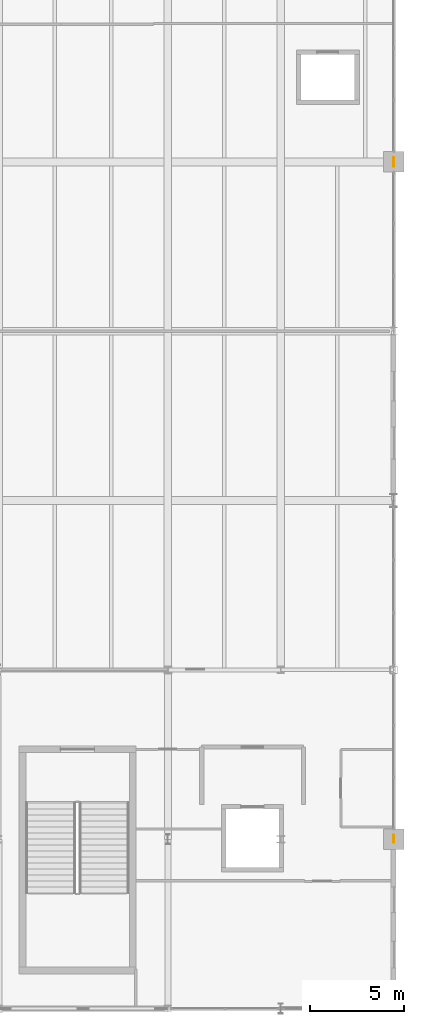
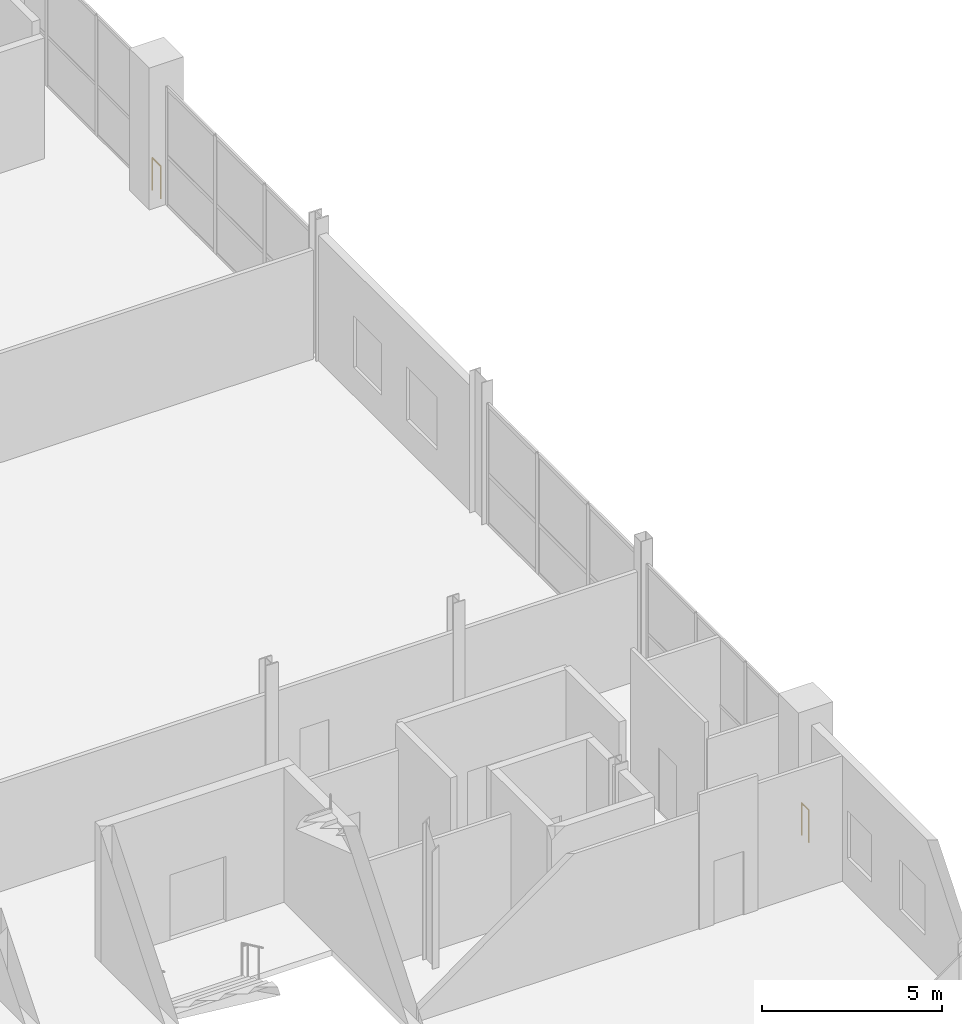
# One storey, part 46 of 50: 2 railings.
"""IFC4 building model written with IfcOpenShell, lengths in metres."""

import ifcopenshell
import ifcopenshell.guid

model = None  # the IFC model being written
_history = None  # IfcOwnerHistory: only IFC2X3 demands one
_inside = {}  # id of a spatial element -> (the spatial element, [elements in it])
_under = {}  # id of a project, library or spatial element -> (it, [spatial elements below it])
_declared = {}  # id of a project -> (the project, [libraries it declares])
_typed = {}  # id of a type object -> (the type object, [elements of that type])
_made_of = {}  # id of a material, layer set ... -> (it, [elements and type objects made of it])


def new_model(schema):
    """Start an empty IFC model of exactly this schema.

    Asked for "IFC4X3", IfcOpenShell would pick the latest addendum, in which some entities
    have other attributes; the version numbers below select the first issue.
    IFC2X3 requires an IfcOwnerHistory on every rooted entity: one is made here for all.
    """
    global model, _history
    if schema == "IFC4X3":
        model = ifcopenshell.file(schema_version=(4, 3, 0, 0))
    else:
        model = ifcopenshell.file(schema=schema)
    _inside.clear()
    _under.clear()
    _declared.clear()
    _typed.clear()
    _made_of.clear()
    _history = None
    if model.schema == "IFC2X3":
        org = make("IfcOrganization", Name="unknown")
        user = make(
            "IfcPersonAndOrganization",
            ThePerson=make("IfcPerson", FamilyName="unknown"),
            TheOrganization=org,
        )
        app = make(
            "IfcApplication",
            ApplicationDeveloper=org,
            Version="unknown",
            ApplicationFullName="unknown",
            ApplicationIdentifier="unknown",
        )
        _history = make(
            "IfcOwnerHistory",
            OwningUser=user,
            OwningApplication=app,
            ChangeAction="ADDED",
            CreationDate=0,
        )
    return model


def make(cls, **values):
    """One entity of the class cls with the attributes given. An attribute that is None is left unset."""
    return model.create_entity(
        cls, **{name: value for name, value in values.items() if value is not None}
    )


def rooted(cls, **values):
    """An entity with a GlobalId (a new one), such as an element, a storey or a relation."""
    return make(cls, GlobalId=ifcopenshell.guid.new(), OwnerHistory=_history, **values)


def si_unit(unit_type, name, prefix=None):
    """IfcSIUnit, for example si_unit("LENGTHUNIT", "METRE", prefix="MILLI")."""
    return make("IfcSIUnit", UnitType=unit_type, Prefix=prefix, Name=name)


def assignment(units):
    """IfcUnitAssignment: the units of a project."""
    return None if units is None else make("IfcUnitAssignment", Units=units)


def point(xyz):
    """IfcCartesianPoint."""
    return None if xyz is None else make("IfcCartesianPoint", Coordinates=xyz)


def direction(xyz):
    """IfcDirection."""
    return None if xyz is None else make("IfcDirection", DirectionRatios=xyz)


def frame(location, z_axis=None, x_axis=None):
    """IfcAxis2Placement3D, a coordinate frame: its origin and axes. An axis left out is left unset."""
    return make(
        "IfcAxis2Placement3D",
        Location=point(location),
        Axis=direction(z_axis),
        RefDirection=direction(x_axis),
    )


def frame_2d(location, x_axis=None):
    """IfcAxis2Placement2D, a coordinate frame in the plane: its origin and x axis."""
    return make(
        "IfcAxis2Placement2D", Location=point(location), RefDirection=direction(x_axis)
    )


def origin():
    """The frame at (0, 0, 0) with its axes left unset."""
    return frame((0.0, 0.0, 0.0))


def origin_2d():
    """The frame at (0, 0) in the plane with its x axis left unset."""
    return frame_2d((0.0, 0.0))


def place(relative_to, where):
    """IfcLocalPlacement: puts the frame where relative to a parent placement (None: the world)."""
    return make(
        "IfcLocalPlacement", PlacementRelTo=relative_to, RelativePlacement=where
    )


def context(
    kind, dimensions, precision=None, world=None, true_north=None, identifier=None
):
    """IfcGeometricRepresentationContext, for example the 3D "Model" context."""
    return make(
        "IfcGeometricRepresentationContext",
        ContextIdentifier=identifier,
        ContextType=kind,
        CoordinateSpaceDimension=dimensions,
        Precision=precision,
        WorldCoordinateSystem=world,
        TrueNorth=true_north,
    )


def subcontext(parent, identifier, kind, view, scale=None):
    """IfcGeometricRepresentationSubContext, for example "Body" below "Model"."""
    return make(
        "IfcGeometricRepresentationSubContext",
        ContextIdentifier=identifier,
        ContextType=kind,
        ParentContext=parent,
        TargetScale=scale,
        TargetView=view,
    )


def project(units=None, contexts=None):
    """IfcProject with its units and contexts."""
    return rooted(
        "IfcProject",
        Name="project",
        RepresentationContexts=contexts,
        UnitsInContext=assignment(units),
    )


def spatial(cls, under=None, at=None, **own):
    """A site, building, storey or space (cls), placed at a placement, below another one or the project."""
    s = rooted(cls, ObjectPlacement=at, **own)
    if under is not None:
        _under.setdefault(under.id(), (under, []))[1].append(s)
    return s


def profile(cls, at=None, kind="AREA", **sizes):
    """A parametric profile (cls). Its sizes go by their IFC names, for example OverallWidth=200.0."""
    return make(cls, ProfileType=kind, Position=at, **sizes)


def circle(**sizes):
    """IfcCircleProfileDef."""
    return profile("IfcCircleProfileDef", **sizes)


def extrude(swept, where, along, depth):
    """IfcExtrudedAreaSolid: the profile swept, set in the frame where, extruded along a direction by depth."""
    return make(
        "IfcExtrudedAreaSolid",
        SweptArea=swept,
        Position=where,
        ExtrudedDirection=direction(along),
        Depth=depth,
    )


def shape(context_of_items, identifier, shape_type, items):
    """IfcShapeRepresentation: the items that make up one representation, for example the "Body"."""
    return make(
        "IfcShapeRepresentation",
        ContextOfItems=context_of_items,
        RepresentationIdentifier=identifier,
        RepresentationType=shape_type,
        Items=items,
    )


def material(Name=None, Category=None):
    """IfcMaterial."""
    return make("IfcMaterial", Name=Name, Category=Category)


def made_of(thing, what):
    """Note that an element or type object is made of a material, layer set ...; save() writes the relation."""
    if what is not None:
        _made_of.setdefault(what.id(), (what, []))[1].append(thing)
    return thing


def type_object(cls, material=None, **own):
    """A type object (cls), such as IfcWallType, which elements share."""
    return made_of(rooted(cls, **own), material)


def element(
    cls,
    number,
    at=None,
    inside=None,
    cuts=None,
    type_object=None,
    material=None,
    context=None,
    identifier="Body",
    shape_type=None,
    held_by="IfcProductDefinitionShape",
    body=None,
    shapes=None,
    **own,
):
    """One element of the class cls, such as IfcWall. Its Tag is "e" and its number.

    at: its placement. inside: the storey or other place that contains it. cuts: it is an
    opening in that element (IfcRelVoidsElement). A single representation is given by context,
    identifier, shape_type and body (its items); several are given by shapes. held_by: the class
    of the entity that holds the representations. save() writes the other relations.
    """
    e = rooted(cls, Tag="e%d" % number, ObjectPlacement=at, **own)
    if body is not None:
        shapes = [shape(context, identifier, shape_type, body)]
    if shapes is not None:
        e.Representation = make(held_by, Representations=shapes)
    if inside is not None:
        _inside.setdefault(inside.id(), (inside, []))[1].append(e)
    if cuts is not None:
        rooted(
            "IfcRelVoidsElement", RelatingBuildingElement=cuts, RelatedOpeningElement=e
        )
    if type_object is not None:
        _typed.setdefault(type_object.id(), (type_object, []))[1].append(e)
    return made_of(e, material)


def aggregate(whole, parts):
    """IfcRelAggregates: a whole, such as a stair, and the parts it consists of."""
    return rooted("IfcRelAggregates", RelatingObject=whole, RelatedObjects=parts)


def save(model, path):
    """Write the relations noted so far, then the file.

    IfcRelAggregates (storeys below a building ...), IfcRelContainedInSpatialStructure (elements
    in a storey), IfcRelDefinesByType, IfcRelAssociatesMaterial and IfcRelDeclares: one each for
    every whole, place, type object, material and project.
    """
    for whole, parts in _under.values():
        aggregate(whole, parts)
    for where, things in _inside.values():
        rooted(
            "IfcRelContainedInSpatialStructure",
            RelatedElements=things,
            RelatingStructure=where,
        )
    for kind, things in _typed.values():
        rooted("IfcRelDefinesByType", RelatedObjects=things, RelatingType=kind)
    for what, things in _made_of.values():
        rooted("IfcRelAssociatesMaterial", RelatedObjects=things, RelatingMaterial=what)
    for by, libraries in _declared.values():
        rooted("IfcRelDeclares", RelatingContext=by, RelatedDefinitions=libraries)
    model.write(path)


model = new_model("IFC4")

# Units and contexts
model_context = context("Model", 3, precision=1e-05, world=origin(), true_north=direction((0.0, 1.0)))
body_context = subcontext(model_context, "Body", "Model", "MODEL_VIEW")
ifc_project = project(units=[si_unit("LENGTHUNIT", "METRE"), si_unit("AREAUNIT", "SQUARE_METRE"), si_unit("VOLUMEUNIT", "CUBIC_METRE"), si_unit("PLANEANGLEUNIT", "RADIAN"), si_unit("MASSUNIT", "GRAM", prefix="KILO")], contexts=[model_context])

# Site, building, storey
site_placement = place(None, origin())
site = spatial("IfcSite", under=ifc_project, at=site_placement, CompositionType="ELEMENT")
building_placement = place(site_placement, origin())
building = spatial("IfcBuilding", under=site, at=building_placement, Name="Qamarlyn Nura Convention Centre", CompositionType="ELEMENT")
storey_placement = place(building_placement, frame((0.0, 0.0, 20.39990234375)))
storey = spatial("IfcBuildingStorey", under=building, at=storey_placement, Name="L04", CompositionType="ELEMENT", Elevation=20.39990234375)

# Railings
ifc_material = material(Name="Marine Grade 316 stainless steel", Category="steel")
railing_type = type_object("IfcRailingType", Name="GRD-VOID-112", PredefinedType="BALUSTRADE", material=ifc_material)
railing_1_placement = place(storey_placement, frame((192.0, 45.22998046875, 0.0)))
element("IfcRailing", 1, at=railing_1_placement, inside=storey, type_object=railing_type, Name="L04 slab edge balustrade guard 087", PredefinedType="BALUSTRADE", context=body_context, shape_type="SweptSolid", body=[
    extrude(circle(Radius=0.02392578125, at=origin_2d()), frame((0.0, 0.0, 1.09619140625), z_axis=(0.0, -1.0, 0.0), x_axis=(1.0, 0.0, 0.0)), (0.0, 0.0, 1.0), 0.4599609375),
    extrude(circle(Radius=0.02099609375, at=origin_2d()), origin(), (0.0, 0.0, 1.0), 1.070068359375),
    extrude(circle(Radius=0.02099609375, at=origin_2d()), frame((0.0, -0.4599609375, 0.0)), (0.0, 0.0, 1.0), 1.070068359375),
])
railing_2_placement = place(storey_placement, frame((192.0, 9.22998046875, 0.0)))
element("IfcRailing", 2, at=railing_2_placement, inside=storey, type_object=railing_type, Name="L04 slab edge balustrade guard 088", PredefinedType="BALUSTRADE", context=body_context, shape_type="SweptSolid", body=[
    extrude(circle(Radius=0.02392578125, at=origin_2d()), frame((0.0, 0.0, 1.09619140625), z_axis=(0.0, -1.0, 0.0), x_axis=(1.0, 0.0, 0.0)), (0.0, 0.0, 1.0), 0.39990234375),
    extrude(circle(Radius=0.02099609375, at=origin_2d()), origin(), (0.0, 0.0, 1.0), 1.070068359375),
    extrude(circle(Radius=0.02099609375, at=origin_2d()), frame((0.0, -0.39990234375, 0.0)), (0.0, 0.0, 1.0), 1.070068359375),
])

save(model, "model.ifc")
